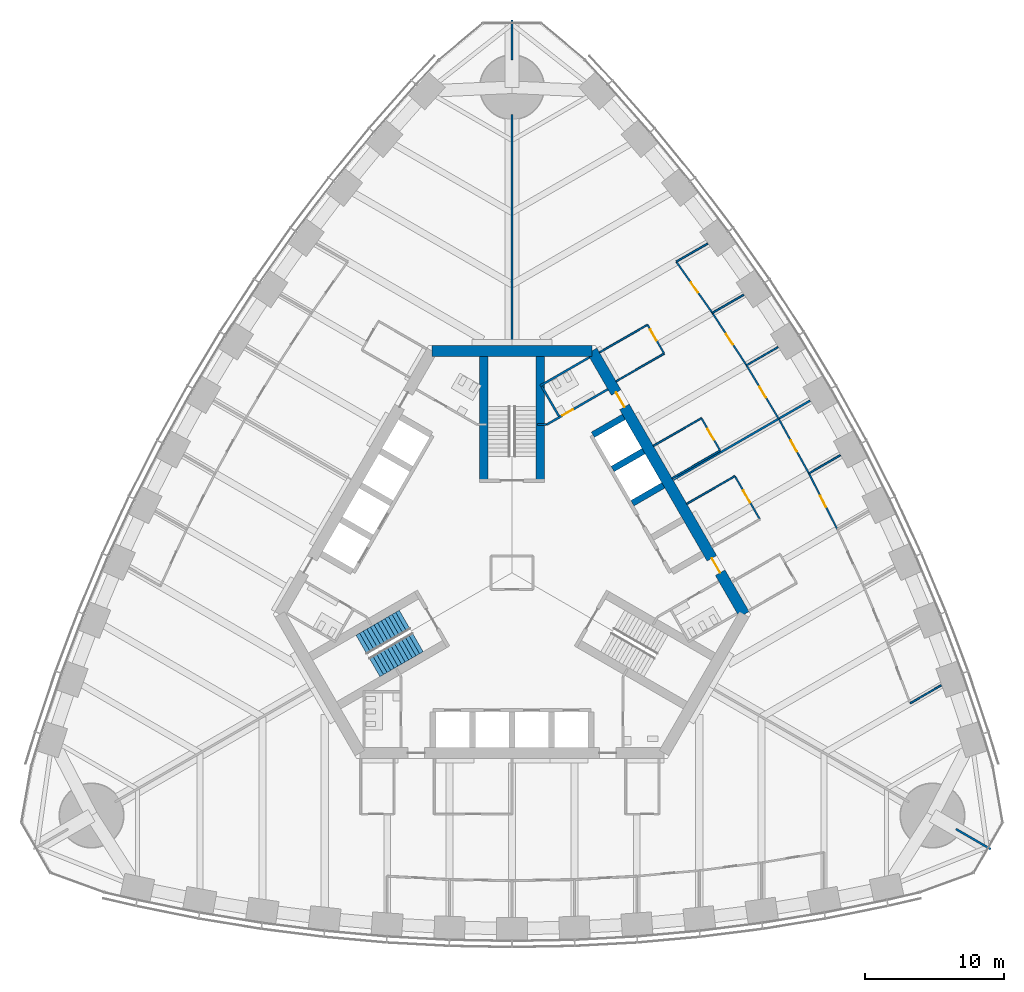
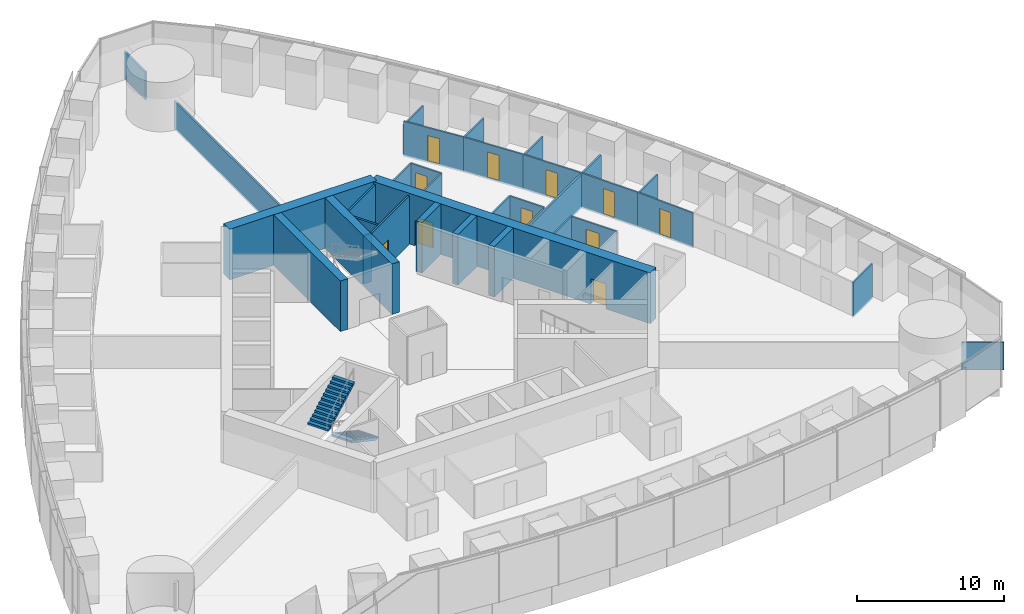
# One storey, part 13 of 19: 33 walls, 11 doors, 2 stair flights, 11 openings, 1 element without a shape of its own.
"""IFC4 building model written with IfcOpenShell, lengths in metres."""

from ifc_helpers import new_model, si_unit, direction, frame, frame_2d, origin, place, context, subcontext, project, spatial, polyline, rectangle, outline, extrude, material, layer, layer_set, type_object, element, fill, aggregate, save


model = new_model("IFC4")

# Units and contexts
model_context = context("Model", 3, precision=1e-05, world=origin(), true_north=direction((0.0, 1.0)))
body_context = subcontext(model_context, "Body", "Model", "MODEL_VIEW")
ifc_project = project(units=[si_unit("LENGTHUNIT", "METRE"), si_unit("AREAUNIT", "SQUARE_METRE"), si_unit("VOLUMEUNIT", "CUBIC_METRE"), si_unit("PLANEANGLEUNIT", "RADIAN"), si_unit("MASSUNIT", "GRAM", prefix="KILO")], contexts=[model_context])

# Site, building, storey
site_placement = place(None, origin())
site = spatial("IfcSite", under=ifc_project, at=site_placement, CompositionType="ELEMENT")
building_placement = place(site_placement, origin())
building = spatial("IfcBuilding", under=site, at=building_placement, Name="Trefoil Bronze Tower", CompositionType="ELEMENT")
storey_placement = place(building_placement, frame((0.0, 0.0, 107.300048828125)))
storey = spatial("IfcBuildingStorey", under=building, at=storey_placement, Name="L24", CompositionType="ELEMENT", Elevation=107.300048828125)

# Wall, openings, doors
ifc_material_1 = material(Name="Concrete B80", Category="concrete")
ifc_layer_1 = layer(ifc_material_1, 0.800048828125)
ifc_layer_set_1 = layer_set([ifc_layer_1], Name="Core wall 800")
wall_type_1 = type_object("IfcWallType", Name="Core wall 800", PredefinedType="SHEAR", material=ifc_layer_set_1)
wall_1_placement = place(storey_placement, frame((16.7431640625, -3.0, 0.0), z_axis=(0.0, 0.0, 1.0), x_axis=(-0.500002442456, 0.866023993627, 0.0)))
wall_1 = element("IfcWall", 1, at=wall_1_placement, inside=storey, type_object=wall_type_1, Name="Core long wall 2 L24", PredefinedType="SHEAR", context=body_context, shape_type="SweptSolid", body=[
    extrude(rectangle(XDim=21.939453125, YDim=0.800048828125, at=frame_2d((10.9697265625, 0.0))), origin(), (0.0, 0.0, 1.0), 4.199951171875),
])
opening_1_placement = place(wall_1_placement, frame((17.269775390625, 0.0, 0.0)))
opening_1 = element("IfcOpeningElement", 2, at=opening_1_placement, cuts=wall_1, Name="Opening D2", PredefinedType="OPENING", context=body_context, shape_type="SweptSolid", body=[
    extrude(rectangle(XDim=1.199951171875, YDim=2.10009765625, at=frame_2d((0.60009765625, 1.050048828125))), frame((0.0, 0.409912109375, 0.0), z_axis=(0.0, -1.0, 0.0), x_axis=(1.0, 0.0, 0.0)), (0.0, 0.0, 1.0), 0.820068359375),
])
opening_2_placement = place(wall_1_placement, frame((3.4697265625, 0.0, 0.0)))
opening_2 = element("IfcOpeningElement", 3, at=opening_2_placement, cuts=wall_1, Name="Opening D2", PredefinedType="OPENING", context=body_context, shape_type="SweptSolid", body=[
    extrude(rectangle(XDim=1.199951171875, YDim=2.10009765625, at=frame_2d((0.60009765625, 1.050048828125))), frame((0.0, 0.409912109375, 0.0), z_axis=(0.0, -1.0, 0.0), x_axis=(1.0, 0.0, 0.0)), (0.0, 0.0, 1.0), 0.820068359375),
])
ifc_material_2 = material(Name="Steel door", Category="steel")
door_type_1 = type_object("IfcDoorType", Name="Lobby door 1200", OperationType="SINGLE_SWING_RIGHT", PredefinedType="DOOR", material=ifc_material_2)
door_1_placement = place(opening_1_placement, origin())
door_1 = element("IfcDoor", 4, at=door_1_placement, inside=storey, type_object=door_type_1, Name="Lobby door F2+ L24", OperationType="SINGLE_SWING_RIGHT", OverallHeight=2.10009765625, OverallWidth=1.199951171875, PredefinedType="DOOR", context=body_context, shape_type="SweptSolid", body=[
    extrude(rectangle(XDim=1.199951171875, YDim=2.10009765625, at=frame_2d((0.60009765625, 1.050048828125))), frame((0.0, 0.02490234375, 0.0), z_axis=(0.0, -1.0, 0.0), x_axis=(1.0, 0.0, 0.0)), (0.0, 0.0, 1.0), 0.050048828125),
])
fill(opening_1, door_1)
door_2_placement = place(opening_2_placement, origin())
door_2 = element("IfcDoor", 5, at=door_2_placement, inside=storey, type_object=door_type_1, Name="Lobby door F2- L24", OperationType="SINGLE_SWING_LEFT", OverallHeight=2.10009765625, OverallWidth=1.199951171875, PredefinedType="DOOR", context=body_context, shape_type="SweptSolid", body=[
    extrude(rectangle(XDim=1.199951171875, YDim=2.10009765625, at=frame_2d((0.60009765625, 1.050048828125))), frame((0.0, 0.02490234375, 0.0), z_axis=(0.0, -1.0, 0.0), x_axis=(1.0, 0.0, 0.0)), (0.0, 0.0, 1.0), 0.050048828125),
])
fill(opening_2, door_2)

# Wall
wall_2_placement = place(storey_placement, frame((5.7734375, 16.0, 0.0), z_axis=(0.0, 0.0, 1.0), x_axis=(-1.0, 0.0, 0.0)))
element("IfcWall", 6, at=wall_2_placement, inside=storey, type_object=wall_type_1, Name="Core short wall 2 L24", PredefinedType="SHEAR", context=body_context, shape_type="SweptSolid", body=[
    extrude(rectangle(XDim=11.546875, YDim=0.800048828125, at=frame_2d((5.7734375, 0.0))), origin(), (0.0, 0.0, 1.0), 4.199951171875),
])

# Wall, opening, door
ifc_material_3 = material(Name="Glazed partition", Category="glass")
ifc_layer_2 = layer(ifc_material_3, 0.1201171875)
ifc_layer_set_2 = layer_set([ifc_layer_2], Name="Glazed partition 120")
wall_type_2 = type_object("IfcWallType", Name="Glazed partition 120", PredefinedType="PARTITIONING", material=ifc_layer_set_2)
wall_3_placement = place(storey_placement, frame((15.00634765625, 8.808349609375, 0.0), z_axis=(0.0, 0.0, 1.0), x_axis=(-0.500048589285, 0.86599734893, 0.0)))
wall_3 = element("IfcWall", 7, at=wall_3_placement, inside=storey, type_object=wall_type_2, Name="Partition F2 L24", PredefinedType="PARTITIONING", context=body_context, shape_type="SweptSolid", body=[
    extrude(rectangle(XDim=2.699951171875, YDim=0.1201171875, at=frame_2d((1.35009765625, 0.0))), origin(), (0.0, 0.0, 1.0), 2.89990234375),
])
opening_3_placement = place(wall_3_placement, frame((0.89990234375, 0.0, 0.14990234375)))
opening_3 = element("IfcOpeningElement", 8, at=opening_3_placement, cuts=wall_3, Name="Opening D8", PredefinedType="OPENING", context=body_context, shape_type="SweptSolid", body=[
    extrude(rectangle(XDim=0.89990234375, YDim=2.10009765625, at=frame_2d((0.449951171875, 1.050048828125))), frame((0.0, 0.070068359375, 0.0), z_axis=(0.0, -1.0, 0.0), x_axis=(1.0, 0.0, 0.0)), (0.0, 0.0, 1.0), 0.14013671875),
])
ifc_material_4 = material(Name="Timber door", Category="wood")
door_type_2 = type_object("IfcDoorType", Name="Office door 900", OperationType="SINGLE_SWING_LEFT", PredefinedType="DOOR", material=ifc_material_4)
door_3_placement = place(opening_3_placement, origin())
door_3 = element("IfcDoor", 9, at=door_3_placement, inside=storey, type_object=door_type_2, Name="Pantry door F2 L24", OperationType="SINGLE_SWING_LEFT", OverallHeight=2.10009765625, OverallWidth=0.89990234375, PredefinedType="DOOR", context=body_context, shape_type="SweptSolid", body=[
    extrude(rectangle(XDim=0.89990234375, YDim=2.10009765625, at=frame_2d((0.449951171875, 1.050048828125))), frame((0.0, 0.02490234375, 0.0), z_axis=(0.0, -1.0, 0.0), x_axis=(1.0, 0.0, 0.0)), (0.0, 0.0, 1.0), 0.050048828125),
])
fill(opening_3, door_3)

wall_4_placement = place(storey_placement, frame((10.96875, 15.801513671875, 0.0), z_axis=(0.0, 0.0, 1.0), x_axis=(-0.500001309137, 0.866024647952, 0.0)))
wall_4 = element("IfcWall", 10, at=wall_4_placement, inside=storey, type_object=wall_type_2, Name="Partition F2 L24", PredefinedType="PARTITIONING", context=body_context, shape_type="SweptSolid", body=[
    extrude(rectangle(XDim=2.39990234375, YDim=0.1201171875, at=frame_2d((1.199951171875, 0.0))), origin(), (0.0, 0.0, 1.0), 2.89990234375),
])
opening_4_placement = place(wall_4_placement, frame((1.10009765625, 0.0, 0.14990234375)))
opening_4 = element("IfcOpeningElement", 11, at=opening_4_placement, cuts=wall_4, Name="Opening D8", PredefinedType="OPENING", context=body_context, shape_type="SweptSolid", body=[
    extrude(rectangle(XDim=0.89990234375, YDim=2.10009765625, at=frame_2d((0.449951171875, 1.050048828125))), frame((0.0, 0.070068359375, 0.0), z_axis=(0.0, -1.0, 0.0), x_axis=(1.0, 0.0, 0.0)), (0.0, 0.0, 1.0), 0.14013671875),
])
door_4_placement = place(opening_4_placement, origin())
door_4 = element("IfcDoor", 12, at=door_4_placement, inside=storey, type_object=door_type_2, Name="Print and store room door F2 L24", OperationType="SINGLE_SWING_RIGHT", OverallHeight=2.10009765625, OverallWidth=0.89990234375, PredefinedType="DOOR", context=body_context, shape_type="SweptSolid", body=[
    extrude(rectangle(XDim=0.89990234375, YDim=2.10009765625, at=frame_2d((0.449951171875, 1.050048828125))), frame((0.0, 0.02490234375, 0.0), z_axis=(0.0, -1.0, 0.0), x_axis=(1.0, 0.0, 0.0)), (0.0, 0.0, 1.0), 0.050048828125),
])
fill(opening_4, door_4)

wall_5_placement = place(storey_placement, frame((17.868896484375, 3.850341796875, 0.0), z_axis=(0.0, 0.0, 1.0), x_axis=(-0.500012057535, 0.866018442252, 0.0)))
wall_5 = element("IfcWall", 13, at=wall_5_placement, inside=storey, type_object=wall_type_2, Name="Partition F2 L24", PredefinedType="PARTITIONING", context=body_context, shape_type="SweptSolid", body=[
    extrude(rectangle(XDim=3.60009765625, YDim=0.1201171875, at=frame_2d((1.800048828125, 0.0))), origin(), (0.0, 0.0, 1.0), 2.89990234375),
])
opening_5_placement = place(wall_5_placement, frame((1.39990234375, 0.0, 0.14990234375)))
opening_5 = element("IfcOpeningElement", 14, at=opening_5_placement, cuts=wall_5, Name="Opening D9", PredefinedType="OPENING", context=body_context, shape_type="SweptSolid", body=[
    extrude(rectangle(XDim=1.0, YDim=2.10009765625, at=frame_2d((0.5, 1.050048828125))), frame((0.0, 0.070068359375, 0.0), z_axis=(0.0, -1.0, 0.0), x_axis=(1.0, 0.0, 0.0)), (0.0, 0.0, 1.0), 0.14013671875),
])
ifc_material_5 = material(Name="Glazed timber door", Category="wood")
door_type_3 = type_object("IfcDoorType", Name="Meeting room door 1000", OperationType="SINGLE_SWING_LEFT", PredefinedType="DOOR", material=ifc_material_5)
door_5_placement = place(opening_5_placement, origin())
door_5 = element("IfcDoor", 15, at=door_5_placement, inside=storey, type_object=door_type_3, Name="Meeting room door F2 L24", OperationType="SINGLE_SWING_RIGHT", OverallHeight=2.10009765625, OverallWidth=1.0, PredefinedType="DOOR", context=body_context, shape_type="SweptSolid", body=[
    extrude(rectangle(XDim=1.0, YDim=2.10009765625, at=frame_2d((0.5, 1.050048828125))), frame((0.0, 0.02490234375, 0.0), z_axis=(0.0, -1.0, 0.0), x_axis=(1.0, 0.0, 0.0)), (0.0, 0.0, 1.0), 0.050048828125),
])
fill(opening_5, door_5)

# Walls
wall_6_placement = place(storey_placement, frame((11.542236328125, 6.808349609375, 0.0), z_axis=(0.0, 0.0, 1.0), x_axis=(0.866026010844, 0.49999894854, 0.0)))
element("IfcWall", 16, at=wall_6_placement, inside=storey, type_object=wall_type_2, Name="Partition F2 L24", PredefinedType="PARTITIONING", context=body_context, shape_type="SweptSolid", body=[
    extrude(rectangle(XDim=4.0, YDim=0.1201171875, at=frame_2d((2.0, 0.0))), origin(), (0.0, 0.0, 1.0), 2.800048828125),
])
for number, where, z_axis, x_axis, name in (
    (17, (6.3046875, 15.8798828125, 0.0), (0.0, 0.0, 1.0), (0.866026010844, 0.49999894854, 0.0), "Partition F2 L24"),
    (18, (10.192138671875, 9.146484375, 0.0), (0.0, 0.0, 1.0), (0.866026010844, 0.49999894854, 0.0), "Partition F2 L24"),
    (19, (7.504638671875, 13.801513671875, 0.0), (0.0, 0.0, 1.0), (0.866026010844, 0.49999894854, 0.0), "Partition F2 L24"),
    (20, (12.604736328125, 4.968017578125, 0.0), (0.0, 0.0, 1.0), (0.866026010844, 0.49999894854, 0.0), "Partition F2 L24"),
):
    element("IfcWall", number, at=place(storey_placement, frame(where, z_axis=z_axis, x_axis=x_axis)), inside=storey, type_object=wall_type_2, Name=name, PredefinedType="PARTITIONING", context=body_context, shape_type="SweptSolid", body=[
        extrude(rectangle(XDim=4.0, YDim=0.1201171875, at=frame_2d((2.0, 0.0))), origin(), (0.0, 0.0, 1.0), 2.89990234375),
    ])

# Wall, opening, door
wall_7_placement = place(storey_placement, frame((19.2255859375, 11.099853515625, 0.0), z_axis=(0.0, 0.0, 1.0), x_axis=(-0.515548366618, 0.856860479703, 0.0)))
wall_7 = element("IfcWall", 21, at=wall_7_placement, inside=storey, type_object=wall_type_2, Name="Partition F2 L24", PredefinedType="PARTITIONING", context=body_context, shape_type="SweptSolid", body=[
    extrude(rectangle(XDim=4.500732421875, YDim=0.1201171875, at=frame_2d((2.25048828125, 0.0))), origin(), (0.0, 0.0, 1.0), 2.89990234375),
])
opening_6_placement = place(wall_7_placement, frame((1.800048828125, 0.0, 0.14990234375)))
opening_6 = element("IfcOpeningElement", 22, at=opening_6_placement, cuts=wall_7, Name="Opening D8", PredefinedType="OPENING", context=body_context, shape_type="SweptSolid", body=[
    extrude(rectangle(XDim=0.89990234375, YDim=2.10009765625, at=frame_2d((0.449951171875, 1.050048828125))), frame((0.0, 0.070068359375, 0.0), z_axis=(0.0, -1.0, 0.0), x_axis=(1.0, 0.0, 0.0)), (0.0, 0.0, 1.0), 0.14013671875),
])
door_6_placement = place(opening_6_placement, frame((0.89990234375, 0.0, 0.0), z_axis=(0.0, 0.0, 1.0), x_axis=(-1.0, 0.0, 0.0)))
door_6 = element("IfcDoor", 23, at=door_6_placement, inside=storey, type_object=door_type_2, Name="Office door F2 L24", OperationType="SINGLE_SWING_RIGHT", OverallHeight=2.10009765625, OverallWidth=0.89990234375, PredefinedType="DOOR", context=body_context, shape_type="SweptSolid", body=[
    extrude(rectangle(XDim=0.89990234375, YDim=2.10009765625, at=frame_2d((0.449951171875, 1.050048828125))), frame((0.0, 0.02490234375, 0.0), z_axis=(0.0, -1.0, 0.0), x_axis=(1.0, 0.0, 0.0)), (0.0, 0.0, 1.0), 0.050048828125),
])
fill(opening_6, door_6)

wall_8_placement = place(storey_placement, frame((16.9052734375, 14.956298828125, 0.0), z_axis=(0.0, 0.0, 1.0), x_axis=(-0.546069464151, 0.837739900161, 0.0)))
wall_8 = element("IfcWall", 24, at=wall_8_placement, inside=storey, type_object=wall_type_2, Name="Partition F2 L24", PredefinedType="PARTITIONING", context=body_context, shape_type="SweptSolid", body=[
    extrude(rectangle(XDim=4.506591796875, YDim=0.1201171875, at=frame_2d((2.25341796875, 0.0))), origin(), (0.0, 0.0, 1.0), 2.89990234375),
])
opening_7_placement = place(wall_8_placement, frame((1.800048828125, 0.0, 0.14990234375)))
opening_7 = element("IfcOpeningElement", 25, at=opening_7_placement, cuts=wall_8, Name="Opening D8", PredefinedType="OPENING", context=body_context, shape_type="SweptSolid", body=[
    extrude(rectangle(XDim=0.89990234375, YDim=2.10009765625, at=frame_2d((0.449951171875, 1.050048828125))), frame((0.0, 0.070068359375, 0.0), z_axis=(0.0, -1.0, 0.0), x_axis=(1.0, 0.0, 0.0)), (0.0, 0.0, 1.0), 0.14013671875),
])
door_7_placement = place(opening_7_placement, frame((0.89990234375, 0.0, 0.0), z_axis=(0.0, 0.0, 1.0), x_axis=(-1.0, 0.0, 0.0)))
door_7 = element("IfcDoor", 26, at=door_7_placement, inside=storey, type_object=door_type_2, Name="Office door F2 L24", OperationType="SINGLE_SWING_RIGHT", OverallHeight=2.10009765625, OverallWidth=0.89990234375, PredefinedType="DOOR", context=body_context, shape_type="SweptSolid", body=[
    extrude(rectangle(XDim=0.89990234375, YDim=2.10009765625, at=frame_2d((0.449951171875, 1.050048828125))), frame((0.0, 0.02490234375, 0.0), z_axis=(0.0, -1.0, 0.0), x_axis=(1.0, 0.0, 0.0)), (0.0, 0.0, 1.0), 0.050048828125),
])
fill(opening_7, door_7)

wall_9_placement = place(storey_placement, frame((14.4443359375, 18.731689453125, 0.0), z_axis=(0.0, 0.0, 1.0), x_axis=(-0.576023283708, 0.817433285734, 0.0)))
wall_9 = element("IfcWall", 27, at=wall_9_placement, inside=storey, type_object=wall_type_2, Name="Partition F2 L24", PredefinedType="PARTITIONING", context=body_context, shape_type="SweptSolid", body=[
    extrude(rectangle(XDim=4.5185546875, YDim=0.1201171875, at=frame_2d((2.25927734375, 0.0))), origin(), (0.0, 0.0, 1.0), 2.89990234375),
])
opening_8_placement = place(wall_9_placement, frame((1.800048828125, 0.0, 0.14990234375)))
opening_8 = element("IfcOpeningElement", 28, at=opening_8_placement, cuts=wall_9, Name="Opening D8", PredefinedType="OPENING", context=body_context, shape_type="SweptSolid", body=[
    extrude(rectangle(XDim=0.89990234375, YDim=2.10009765625, at=frame_2d((0.449951171875, 1.050048828125))), frame((0.0, 0.070068359375, 0.0), z_axis=(0.0, -1.0, 0.0), x_axis=(1.0, 0.0, 0.0)), (0.0, 0.0, 1.0), 0.14013671875),
])
door_8_placement = place(opening_8_placement, frame((0.89990234375, 0.0, 0.0), z_axis=(0.0, 0.0, 1.0), x_axis=(-1.0, 0.0, 0.0)))
door_8 = element("IfcDoor", 29, at=door_8_placement, inside=storey, type_object=door_type_2, Name="Office door F2 L24", OperationType="SINGLE_SWING_RIGHT", OverallHeight=2.10009765625, OverallWidth=0.89990234375, PredefinedType="DOOR", context=body_context, shape_type="SweptSolid", body=[
    extrude(rectangle(XDim=0.89990234375, YDim=2.10009765625, at=frame_2d((0.449951171875, 1.050048828125))), frame((0.0, 0.02490234375, 0.0), z_axis=(0.0, -1.0, 0.0), x_axis=(1.0, 0.0, 0.0)), (0.0, 0.0, 1.0), 0.050048828125),
])
fill(opening_8, door_8)

wall_10_placement = place(storey_placement, frame((21.4052734375, 7.162109375, 0.0), z_axis=(0.0, 0.0, 1.0), x_axis=(-0.484292898211, 0.874905931368, 0.0)))
wall_10 = element("IfcWall", 30, at=wall_10_placement, inside=storey, type_object=wall_type_2, Name="Partition F2 L24", PredefinedType="PARTITIONING", context=body_context, shape_type="SweptSolid", body=[
    extrude(rectangle(XDim=4.500732421875, YDim=0.1201171875, at=frame_2d((2.25048828125, 0.0))), origin(), (0.0, 0.0, 1.0), 2.89990234375),
])
opening_9_placement = place(wall_10_placement, frame((1.800048828125, 0.0, 0.14990234375)))
opening_9 = element("IfcOpeningElement", 31, at=opening_9_placement, cuts=wall_10, Name="Opening D8", PredefinedType="OPENING", context=body_context, shape_type="SweptSolid", body=[
    extrude(rectangle(XDim=0.89990234375, YDim=2.10009765625, at=frame_2d((0.449951171875, 1.050048828125))), frame((0.0, 0.070068359375, 0.0), z_axis=(0.0, -1.0, 0.0), x_axis=(1.0, 0.0, 0.0)), (0.0, 0.0, 1.0), 0.14013671875),
])
door_9_placement = place(opening_9_placement, frame((0.89990234375, 0.0, 0.0), z_axis=(0.0, 0.0, 1.0), x_axis=(-1.0, 0.0, 0.0)))
door_9 = element("IfcDoor", 32, at=door_9_placement, inside=storey, type_object=door_type_2, Name="Office door F2 L24", OperationType="SINGLE_SWING_RIGHT", OverallHeight=2.10009765625, OverallWidth=0.89990234375, PredefinedType="DOOR", context=body_context, shape_type="SweptSolid", body=[
    extrude(rectangle(XDim=0.89990234375, YDim=2.10009765625, at=frame_2d((0.449951171875, 1.050048828125))), frame((0.0, 0.02490234375, 0.0), z_axis=(0.0, -1.0, 0.0), x_axis=(1.0, 0.0, 0.0)), (0.0, 0.0, 1.0), 0.050048828125),
])
fill(opening_9, door_9)

wall_11_placement = place(storey_placement, frame((23.4443359375, 3.143310546875, 0.0), z_axis=(0.0, 0.0, 1.0), x_axis=(-0.452471679136, 0.891778772779, 0.0)))
wall_11 = element("IfcWall", 33, at=wall_11_placement, inside=storey, type_object=wall_type_2, Name="Partition F2 L24", PredefinedType="PARTITIONING", context=body_context, shape_type="SweptSolid", body=[
    extrude(rectangle(XDim=4.506591796875, YDim=0.1201171875, at=frame_2d((2.25341796875, 0.0))), origin(), (0.0, 0.0, 1.0), 2.89990234375),
])
opening_10_placement = place(wall_11_placement, frame((1.800048828125, 0.0, 0.14990234375)))
opening_10 = element("IfcOpeningElement", 34, at=opening_10_placement, cuts=wall_11, Name="Opening D8", PredefinedType="OPENING", context=body_context, shape_type="SweptSolid", body=[
    extrude(rectangle(XDim=0.89990234375, YDim=2.10009765625, at=frame_2d((0.449951171875, 1.050048828125))), frame((0.0, 0.070068359375, 0.0), z_axis=(0.0, -1.0, 0.0), x_axis=(1.0, 0.0, 0.0)), (0.0, 0.0, 1.0), 0.14013671875),
])
door_10_placement = place(opening_10_placement, frame((0.89990234375, 0.0, 0.0), z_axis=(0.0, 0.0, 1.0), x_axis=(-1.0, 0.0, 0.0)))
door_10 = element("IfcDoor", 35, at=door_10_placement, inside=storey, type_object=door_type_2, Name="Office door F2 L24", OperationType="SINGLE_SWING_RIGHT", OverallHeight=2.10009765625, OverallWidth=0.89990234375, PredefinedType="DOOR", context=body_context, shape_type="SweptSolid", body=[
    extrude(rectangle(XDim=0.89990234375, YDim=2.10009765625, at=frame_2d((0.449951171875, 1.050048828125))), frame((0.0, 0.02490234375, 0.0), z_axis=(0.0, -1.0, 0.0), x_axis=(1.0, 0.0, 0.0)), (0.0, 0.0, 1.0), 0.050048828125),
])
fill(opening_10, door_10)

# Walls
wall_12_placement = place(storey_placement, frame((11.841552734375, 22.42529296875, 0.0), z_axis=(0.0, 0.0, 1.0), x_axis=(0.866036074319, 0.499981517636, 0.0)))
element("IfcWall", 36, at=wall_12_placement, inside=storey, type_object=wall_type_2, Name="Partition F2 L24", PredefinedType="PARTITIONING", context=body_context, shape_type="SweptSolid", body=[
    extrude(rectangle(XDim=2.6103515625, YDim=0.1201171875, at=frame_2d((1.30517578125, 0.0))), origin(), (0.0, 0.0, 1.0), 2.599853515625),
])
wall_13_placement = place(storey_placement, frame((16.9052734375, 14.956298828125, 0.0), z_axis=(0.0, 0.0, 1.0), x_axis=(0.866008611403, 0.50002908413, 0.0)))
element("IfcWall", 37, at=wall_13_placement, inside=storey, type_object=wall_type_2, Name="Partition F2 L24", PredefinedType="PARTITIONING", context=body_context, shape_type="SweptSolid", body=[
    extrude(rectangle(XDim=2.618896484375, YDim=0.1201171875, at=frame_2d((1.3095703125, 0.0))), origin(), (0.0, 0.0, 1.0), 2.800048828125),
])
wall_14_placement = place(storey_placement, frame((14.4443359375, 18.731689453125, 0.0), z_axis=(0.0, 0.0, 1.0), x_axis=(0.866011491631, 0.500024095782, 0.0)))
element("IfcWall", 38, at=wall_14_placement, inside=storey, type_object=wall_type_2, Name="Partition F2 L24", PredefinedType="PARTITIONING", context=body_context, shape_type="SweptSolid", body=[
    extrude(rectangle(XDim=2.615478515625, YDim=0.1201171875, at=frame_2d((1.3076171875, 0.0))), origin(), (0.0, 0.0, 1.0), 2.89990234375),
])
wall_15_placement = place(storey_placement, frame((28.70556640625, -9.40771484375, 0.0), z_axis=(0.0, 0.0, 1.0), x_axis=(0.866003704883, 0.500037581717, 0.0)))
element("IfcWall", 39, at=wall_15_placement, inside=storey, type_object=wall_type_2, Name="Partition F2 L24", PredefinedType="PARTITIONING", context=body_context, shape_type="SweptSolid", body=[
    extrude(rectangle(XDim=2.593017578125, YDim=0.1201171875, at=frame_2d((1.29638671875, 0.0))), origin(), (0.0, 0.0, 1.0), 2.89990234375),
])
wall_16_placement = place(storey_placement, frame((21.4052734375, 7.162109375, 0.0), z_axis=(0.0, 0.0, 1.0), x_axis=(0.866008611403, 0.50002908413, 0.0)))
element("IfcWall", 40, at=wall_16_placement, inside=storey, type_object=wall_type_2, Name="Partition F2 L24", PredefinedType="PARTITIONING", context=body_context, shape_type="SweptSolid", body=[
    extrude(rectangle(XDim=2.618896484375, YDim=0.1201171875, at=frame_2d((1.3095703125, 0.0))), origin(), (0.0, 0.0, 1.0), 2.800048828125),
])
ifc_material_6 = material(Name="Concrete B80", Category="concrete")
ifc_layer_3 = layer(ifc_material_6, 0.449951171875)
ifc_layer_set_3 = layer_set([ifc_layer_3], Name="Outrigger shaft wall 450")
wall_type_3 = type_object("IfcWallType", Name="Outrigger shaft wall 450", PredefinedType="SHEAR", material=ifc_layer_set_3)
for number, where, z_axis, x_axis, name in (
    (41, (8.681884765625, 5.012451171875, 0.0), (0.0, 0.0, 1.0), (0.866005588531, 0.500034319456, 0.0), "Lift shaft side wall B2 L24"),
    (42, (7.2568359375, 7.480712890625, 0.0), (0.0, 0.0, 1.0), (0.866046643894, 0.499963209246, 0.0), "Lift shaft side wall B3 L24"),
):
    element("IfcWall", number, at=place(storey_placement, frame(where, z_axis=z_axis, x_axis=x_axis)), inside=storey, type_object=wall_type_3, Name=name, PredefinedType="SHEAR", context=body_context, shape_type="SweptSolid", body=[
        extrude(rectangle(XDim=2.574951171875, YDim=0.449951171875, at=frame_2d((1.28759765625, 0.0))), origin(), (0.0, 0.0, 1.0), 4.199951171875),
    ])
wall_17_placement = place(storey_placement, frame((5.831787109375, 9.94873046875, 0.0), z_axis=(0.0, 0.0, 1.0), x_axis=(0.866029291668, 0.499993265928, 0.0)))
element("IfcWall", 43, at=wall_17_placement, inside=storey, type_object=wall_type_3, Name="Lift shaft side wall B4 L24", PredefinedType="SHEAR", context=body_context, shape_type="SweptSolid", body=[
    extrude(rectangle(XDim=2.5751953125, YDim=0.449951171875, at=frame_2d((1.28759765625, 0.0))), origin(), (0.0, 0.0, 1.0), 4.199951171875),
])

# Wall, opening, door
ifc_material_7 = material(Name="Gypsum board on steel studs", Category="steel")
ifc_layer_4 = layer(ifc_material_7, 0.14990234375)
ifc_layer_set_4 = layer_set([ifc_layer_4], Name="Partition 150")
wall_type_4 = type_object("IfcWallType", Name="Partition 150", PredefinedType="PARTITIONING", material=ifc_layer_set_4)
wall_18_placement = place(storey_placement, frame((2.4951171875, 10.67822265625, 0.0), z_axis=(0.0, 0.0, 1.0), x_axis=(0.86602216432, 0.500005610874, 0.0)))
wall_18 = element("IfcWall", 44, at=wall_18_placement, inside=storey, type_object=wall_type_4, Name="Passage wall F2+ L24", PredefinedType="PARTITIONING", context=body_context, shape_type="SweptSolid", body=[
    extrude(rectangle(XDim=5.10009765625, YDim=0.14990234375, at=frame_2d((2.550048828125, 0.0))), origin(), (0.0, 0.0, 1.0), 4.0),
])
opening_11_placement = place(wall_18_placement, frame((1.300048828125, 0.0, 0.0)))
opening_11 = element("IfcOpeningElement", 45, at=opening_11_placement, cuts=wall_18, Name="Opening D3", PredefinedType="OPENING", context=body_context, shape_type="SweptSolid", body=[
    extrude(rectangle(XDim=0.89990234375, YDim=2.10009765625, at=frame_2d((0.449951171875, 1.050048828125))), frame((0.0, 0.0849609375, 0.0), z_axis=(0.0, -1.0, 0.0), x_axis=(1.0, 0.0, 0.0)), (0.0, 0.0, 1.0), 0.169921875),
])
ifc_material_8 = material(Name="Timber door", Category="wood")
door_type_4 = type_object("IfcDoorType", Name="WC door 900", OperationType="SINGLE_SWING_LEFT", PredefinedType="DOOR", material=ifc_material_8)
door_11_placement = place(opening_11_placement, origin())
door_11 = element("IfcDoor", 46, at=door_11_placement, inside=storey, type_object=door_type_4, Name="WC (men) door L24", OperationType="SINGLE_SWING_LEFT", OverallHeight=2.10009765625, OverallWidth=0.89990234375, PredefinedType="DOOR", context=body_context, shape_type="SweptSolid", body=[
    extrude(rectangle(XDim=0.89990234375, YDim=2.10009765625, at=frame_2d((0.449951171875, 1.050048828125))), frame((0.0, 0.02490234375, 0.0), z_axis=(0.0, -1.0, 0.0), x_axis=(1.0, 0.0, 0.0)), (0.0, 0.0, 1.0), 0.050048828125),
])
fill(opening_11, door_11)

# Walls
wall_19_placement = place(storey_placement, frame((2.4951171875, 10.67822265625, 0.0), z_axis=(0.0, 0.0, 1.0), x_axis=(-1.0, 0.0, 0.0)))
element("IfcWall", 47, at=wall_19_placement, inside=storey, type_object=wall_type_4, Name="WC wall ST2-1 L24", PredefinedType="PARTITIONING", context=body_context, shape_type="SweptSolid", body=[
    extrude(rectangle(XDim=0.64501953125, YDim=0.14990234375, at=frame_2d((0.322509765625, 0.0))), origin(), (0.0, 0.0, 1.0), 4.0),
])
wall_20_placement = place(storey_placement, frame((2.03125, 13.48193359375, 0.0), z_axis=(0.0, 0.0, 1.0), x_axis=(0.866050731258, 0.499956128963, 0.0)))
element("IfcWall", 48, at=wall_20_placement, inside=storey, type_object=wall_type_4, Name="WC partition WC (men) L24", PredefinedType="PARTITIONING", context=body_context, shape_type="SweptSolid", body=[
    extrude(rectangle(XDim=4.099853515625, YDim=0.14990234375, at=frame_2d((2.0498046875, 0.0))), origin(), (0.0, 0.0, 1.0), 4.0),
])
wall_21_placement = place(storey_placement, frame((3.388671875, 11.28076171875, 0.0), z_axis=(0.0, 0.0, 1.0), x_axis=(-0.499989096993, 0.866031698547, 0.0)))
element("IfcWall", 49, at=wall_21_placement, inside=storey, type_object=wall_type_4, Name="WC partition WC (men) L24", PredefinedType="PARTITIONING", context=body_context, shape_type="SweptSolid", body=[
    extrude(rectangle(XDim=2.509765625, YDim=0.14990234375, at=frame_2d((1.2548828125, 0.0))), origin(), (0.0, 0.0, 1.0), 4.0),
])
ifc_material_9 = material(Name="Gypsum board on steel studs", Category="steel")
ifc_layer_5 = layer(ifc_material_9, 0.14990234375)
ifc_layer_set_5 = layer_set([ifc_layer_5], Name="Party wall 150")
wall_type_5 = type_object("IfcWallType", Name="Party wall 150", PredefinedType="PARTITIONING", material=ifc_layer_set_5)
wall_22_placement = place(storey_placement, frame((31.999755859375, -18.47509765625, 0.0), z_axis=(0.0, 0.0, 1.0), x_axis=(0.866042548026, -0.499970304126, 0.0)))
element("IfcWall", 50, at=wall_22_placement, inside=storey, type_object=wall_type_5, Name="Party wall K1 L24", PredefinedType="PARTITIONING", context=body_context, shape_type="SweptSolid", body=[
    extrude(rectangle(XDim=2.899169921875, YDim=0.14990234375, at=frame_2d((1.44970703125, 0.0))), origin(), (0.0, 0.0, 1.0), 2.300048828125),
])
wall_23_placement = place(storey_placement, frame((0.0, 16.39990234375, 0.0), z_axis=(0.0, 0.0, 1.0), x_axis=(0.0, 1.0, 0.0)))
element("IfcWall", 51, at=wall_23_placement, inside=storey, type_object=wall_type_5, Name="Party wall K2 L24", PredefinedType="PARTITIONING", context=body_context, shape_type="SweptSolid", body=[
    extrude(rectangle(XDim=16.650146484375, YDim=0.14990234375, at=frame_2d((8.3251953125, 0.0))), origin(), (0.0, 0.0, 1.0), 2.300048828125),
])
wall_24_placement = place(storey_placement, frame((0.0, 36.949951171875, 0.0), z_axis=(0.0, 0.0, 1.0), x_axis=(0.0, 1.0, 0.0)))
element("IfcWall", 52, at=wall_24_placement, inside=storey, type_object=wall_type_5, Name="Party wall K2 L24", PredefinedType="PARTITIONING", context=body_context, shape_type="SweptSolid", body=[
    extrude(rectangle(XDim=2.8994140625, YDim=0.14990234375, at=frame_2d((1.44970703125, 0.0))), origin(), (0.0, 0.0, 1.0), 2.300048828125),
])
wall_25_placement = place(storey_placement, frame((11.61328125, 6.705078125, 0.0), z_axis=(0.0, 0.0, 1.0), x_axis=(0.866026306654, 0.499998436182, 0.0)))
element("IfcWall", 53, at=wall_25_placement, inside=storey, type_object=wall_type_5, Name="Demising wall F2 L24", PredefinedType="PARTITIONING", context=body_context, shape_type="SweptSolid", body=[
    extrude(rectangle(XDim=11.40966796875, YDim=0.14990234375, at=frame_2d((5.704833984375, 0.0))), origin(), (0.0, 0.0, 1.0), 2.800048828125),
])
ifc_material_10 = material(Name="Concrete B80", Category="concrete")
ifc_layer_6 = layer(ifc_material_10, 0.60009765625)
ifc_layer_set_6 = layer_set([ifc_layer_6], Name="Stair wall 600")
wall_type_6 = type_object("IfcWallType", Name="Stair wall 600", PredefinedType="SHEAR", material=ifc_layer_set_6)
for number, where, z_axis, x_axis, name in (
    (54, (2.02490234375, 6.52490234375, 0.0), (0.0, 0.0, 1.0), (0.0, 1.0, 0.0), "Stair wall ST2 L24"),
    (55, (-2.02490234375, 6.52490234375, 0.0), (0.0, 0.0, 1.0), (0.0, 1.0, 0.0), "Stair wall ST2 L24"),
):
    element("IfcWall", number, at=place(storey_placement, frame(where, z_axis=z_axis, x_axis=x_axis)), inside=storey, type_object=wall_type_6, Name=name, PredefinedType="SHEAR", context=body_context, shape_type="SweptSolid", body=[
        extrude(rectangle(XDim=9.0751953125, YDim=0.60009765625, at=frame_2d((4.53759765625, 0.0))), origin(), (0.0, 0.0, 1.0), 4.199951171875),
    ])

# Stair, stair flights
ifc_material_11 = material(Name="Precast concrete B80", Category="concrete")
stair_type = type_object("IfcStairType", Name="Exit stair 26 risers", PredefinedType="HALF_TURN_STAIR", material=ifc_material_11)
stair_placement = place(storey_placement, origin())
stair = element("IfcStair", 56, at=stair_placement, inside=storey, type_object=stair_type, Name="Stair ST3 L24", PredefinedType="HALF_TURN_STAIR")
ifc_material_12 = material(Name="Precast concrete B80", Category="concrete")
stair_flight_type = type_object("IfcStairFlightType", Name="Stair flight 1600", PredefinedType="STRAIGHT", material=ifc_material_12)
stair_flight_1_placement = place(storey_placement, frame((-6.803466796875, -4.99609375, 0.0), z_axis=(0.0, 0.0, 1.0), x_axis=(-0.866025403784, -0.5, 0.0)))
stair_flight_1 = element("IfcStairFlight", 57, at=stair_flight_1_placement, type_object=stair_flight_type, Name="ST3 flight 1", NumberOfRisers=13, NumberOfTreads=12, PredefinedType="STRAIGHT", RiserHeight=0.161538462, TreadLength=0.3, context=body_context, shape_type="SweptSolid", body=[
    extrude(outline(polyline([(0.0, 0.0), (0.0, 0.16162109375), (0.300048828125, 0.16162109375), (0.300048828125, 0.322998046875), (0.60009765625, 0.322998046875), (0.60009765625, 0.484619140625), (0.89990234375, 0.484619140625), (0.89990234375, 0.646240234375), (1.199951171875, 0.646240234375), (1.199951171875, 0.8076171875), (1.5, 0.8076171875), (1.5, 0.96923828125), (1.800048828125, 0.96923828125), (1.800048828125, 1.130859375), (2.10009765625, 1.130859375), (2.10009765625, 1.292236328125), (2.39990234375, 1.292236328125), (2.39990234375, 1.453857421875), (2.699951171875, 1.453857421875), (2.699951171875, 1.615478515625), (3.0, 1.615478515625), (3.0, 1.77685546875), (3.300048828125, 1.77685546875), (3.300048828125, 1.9384765625), (3.60009765625, 1.9384765625), (3.60009765625, 2.10009765625), (3.60009765625, 1.768310546875), (0.316162109375, 0.0), (0.0, 0.0)])), frame((0.0, 0.800048828125, 0.0), z_axis=(0.0, -1.0, 0.0), x_axis=(1.0, 0.0, 0.0)), (0.0, 0.0, 1.0), 1.60009765625),
])
stair_flight_2_placement = place(storey_placement, frame((-10.84619140625, -5.19384765625, 2.099853515625), z_axis=(0.0, 0.0, 1.0), x_axis=(0.866025403784, 0.5, 0.0)))
stair_flight_2 = element("IfcStairFlight", 58, at=stair_flight_2_placement, type_object=stair_flight_type, Name="ST3 flight 2", NumberOfRisers=13, NumberOfTreads=12, PredefinedType="STRAIGHT", RiserHeight=0.161538462, TreadLength=0.3, context=body_context, shape_type="SweptSolid", body=[
    extrude(outline(polyline([(0.0, 0.0), (0.0, 0.16162109375), (0.300048828125, 0.16162109375), (0.300048828125, 0.322998046875), (0.60009765625, 0.322998046875), (0.60009765625, 0.484619140625), (0.89990234375, 0.484619140625), (0.89990234375, 0.646240234375), (1.199951171875, 0.646240234375), (1.199951171875, 0.8076171875), (1.5, 0.8076171875), (1.5, 0.96923828125), (1.800048828125, 0.96923828125), (1.800048828125, 1.130859375), (2.10009765625, 1.130859375), (2.10009765625, 1.292236328125), (2.39990234375, 1.292236328125), (2.39990234375, 1.453857421875), (2.699951171875, 1.453857421875), (2.699951171875, 1.615478515625), (3.0, 1.615478515625), (3.0, 1.77685546875), (3.300048828125, 1.77685546875), (3.300048828125, 1.9384765625), (3.60009765625, 1.9384765625), (3.60009765625, 2.10009765625), (3.60009765625, 1.768310546875), (0.316162109375, 0.0), (0.0, 0.0)])), frame((0.0, 0.800048828125, 0.0), z_axis=(0.0, -1.0, 0.0), x_axis=(1.0, 0.0, 0.0)), (0.0, 0.0, 1.0), 1.60009765625),
])
aggregate(stair, [stair_flight_1, stair_flight_2])

save(model, "model.ifc")
